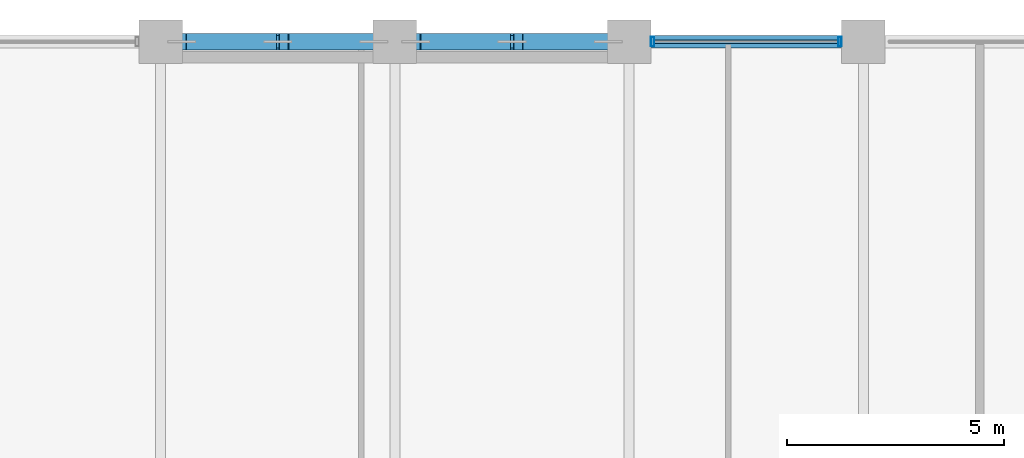
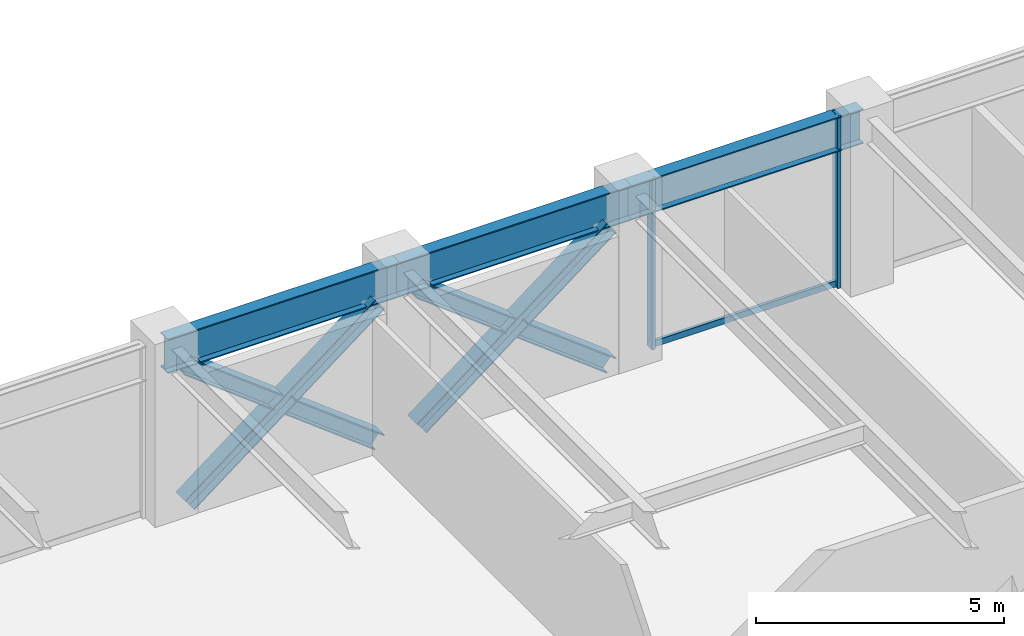
# One storey, part 15 of 25: 9 members, 3 beams, 1 element without a shape of its own.
"""IFC4 building model written with IfcOpenShell, lengths in metres."""

import ifcopenshell
import ifcopenshell.guid

model = None  # the IFC model being written
_history = None  # IfcOwnerHistory: only IFC2X3 demands one
_inside = {}  # id of a spatial element -> (the spatial element, [elements in it])
_under = {}  # id of a project, library or spatial element -> (it, [spatial elements below it])
_declared = {}  # id of a project -> (the project, [libraries it declares])
_typed = {}  # id of a type object -> (the type object, [elements of that type])
_made_of = {}  # id of a material, layer set ... -> (it, [elements and type objects made of it])


def new_model(schema):
    """Start an empty IFC model of exactly this schema.

    Asked for "IFC4X3", IfcOpenShell would pick the latest addendum, in which some entities
    have other attributes; the version numbers below select the first issue.
    IFC2X3 requires an IfcOwnerHistory on every rooted entity: one is made here for all.
    """
    global model, _history
    if schema == "IFC4X3":
        model = ifcopenshell.file(schema_version=(4, 3, 0, 0))
    else:
        model = ifcopenshell.file(schema=schema)
    _inside.clear()
    _under.clear()
    _declared.clear()
    _typed.clear()
    _made_of.clear()
    _history = None
    if model.schema == "IFC2X3":
        org = make("IfcOrganization", Name="unknown")
        user = make(
            "IfcPersonAndOrganization",
            ThePerson=make("IfcPerson", FamilyName="unknown"),
            TheOrganization=org,
        )
        app = make(
            "IfcApplication",
            ApplicationDeveloper=org,
            Version="unknown",
            ApplicationFullName="unknown",
            ApplicationIdentifier="unknown",
        )
        _history = make(
            "IfcOwnerHistory",
            OwningUser=user,
            OwningApplication=app,
            ChangeAction="ADDED",
            CreationDate=0,
        )
    return model


def make(cls, **values):
    """One entity of the class cls with the attributes given. An attribute that is None is left unset."""
    return model.create_entity(
        cls, **{name: value for name, value in values.items() if value is not None}
    )


def rooted(cls, **values):
    """An entity with a GlobalId (a new one), such as an element, a storey or a relation."""
    return make(cls, GlobalId=ifcopenshell.guid.new(), OwnerHistory=_history, **values)


def si_unit(unit_type, name, prefix=None):
    """IfcSIUnit, for example si_unit("LENGTHUNIT", "METRE", prefix="MILLI")."""
    return make("IfcSIUnit", UnitType=unit_type, Prefix=prefix, Name=name)


def assignment(units):
    """IfcUnitAssignment: the units of a project."""
    return None if units is None else make("IfcUnitAssignment", Units=units)


def point(xyz):
    """IfcCartesianPoint."""
    return None if xyz is None else make("IfcCartesianPoint", Coordinates=xyz)


def direction(xyz):
    """IfcDirection."""
    return None if xyz is None else make("IfcDirection", DirectionRatios=xyz)


def frame(location, z_axis=None, x_axis=None):
    """IfcAxis2Placement3D, a coordinate frame: its origin and axes. An axis left out is left unset."""
    return make(
        "IfcAxis2Placement3D",
        Location=point(location),
        Axis=direction(z_axis),
        RefDirection=direction(x_axis),
    )


def frame_2d(location, x_axis=None):
    """IfcAxis2Placement2D, a coordinate frame in the plane: its origin and x axis."""
    return make(
        "IfcAxis2Placement2D", Location=point(location), RefDirection=direction(x_axis)
    )


def origin():
    """The frame at (0, 0, 0) with its axes left unset."""
    return frame((0.0, 0.0, 0.0))


def origin_2d():
    """The frame at (0, 0) in the plane with its x axis left unset."""
    return frame_2d((0.0, 0.0))


def place(relative_to, where):
    """IfcLocalPlacement: puts the frame where relative to a parent placement (None: the world)."""
    return make(
        "IfcLocalPlacement", PlacementRelTo=relative_to, RelativePlacement=where
    )


def context(
    kind, dimensions, precision=None, world=None, true_north=None, identifier=None
):
    """IfcGeometricRepresentationContext, for example the 3D "Model" context."""
    return make(
        "IfcGeometricRepresentationContext",
        ContextIdentifier=identifier,
        ContextType=kind,
        CoordinateSpaceDimension=dimensions,
        Precision=precision,
        WorldCoordinateSystem=world,
        TrueNorth=true_north,
    )


def subcontext(parent, identifier, kind, view, scale=None):
    """IfcGeometricRepresentationSubContext, for example "Body" below "Model"."""
    return make(
        "IfcGeometricRepresentationSubContext",
        ContextIdentifier=identifier,
        ContextType=kind,
        ParentContext=parent,
        TargetScale=scale,
        TargetView=view,
    )


def project(units=None, contexts=None):
    """IfcProject with its units and contexts."""
    return rooted(
        "IfcProject",
        Name="project",
        RepresentationContexts=contexts,
        UnitsInContext=assignment(units),
    )


def spatial(cls, under=None, at=None, **own):
    """A site, building, storey or space (cls), placed at a placement, below another one or the project."""
    s = rooted(cls, ObjectPlacement=at, **own)
    if under is not None:
        _under.setdefault(under.id(), (under, []))[1].append(s)
    return s


def profile(cls, at=None, kind="AREA", **sizes):
    """A parametric profile (cls). Its sizes go by their IFC names, for example OverallWidth=200.0."""
    return make(cls, ProfileType=kind, Position=at, **sizes)


def hollow_rectangle(**sizes):
    """IfcRectangleHollowProfileDef."""
    return profile("IfcRectangleHollowProfileDef", **sizes)


def i_section(**sizes):
    """IfcIShapeProfileDef."""
    return profile("IfcIShapeProfileDef", **sizes)


def extrude(swept, where, along, depth):
    """IfcExtrudedAreaSolid: the profile swept, set in the frame where, extruded along a direction by depth."""
    return make(
        "IfcExtrudedAreaSolid",
        SweptArea=swept,
        Position=where,
        ExtrudedDirection=direction(along),
        Depth=depth,
    )


def shape(context_of_items, identifier, shape_type, items):
    """IfcShapeRepresentation: the items that make up one representation, for example the "Body"."""
    return make(
        "IfcShapeRepresentation",
        ContextOfItems=context_of_items,
        RepresentationIdentifier=identifier,
        RepresentationType=shape_type,
        Items=items,
    )


def material(Name=None, Category=None):
    """IfcMaterial."""
    return make("IfcMaterial", Name=Name, Category=Category)


def layer(
    of_material, thickness, ventilated=None, Name=None, Category=None, Priority=None
):
    """IfcMaterialLayer: one layer of a wall or slab, of a material (None: an air gap)."""
    return make(
        "IfcMaterialLayer",
        Material=of_material,
        LayerThickness=thickness,
        IsVentilated=ventilated,
        Name=Name,
        Category=Category,
        Priority=Priority,
    )


def layer_set(layers, Name=None):
    """IfcMaterialLayerSet."""
    return make("IfcMaterialLayerSet", MaterialLayers=layers, LayerSetName=Name)


def material_profile(
    of_material, cross_section, Name=None, Category=None, Priority=None
):
    """IfcMaterialProfile: a cross section and its material."""
    return make(
        "IfcMaterialProfile",
        Name=Name,
        Material=of_material,
        Profile=cross_section,
        Priority=Priority,
        Category=Category,
    )


def profile_set(profiles, Name=None, composite=None):
    """IfcMaterialProfileSet."""
    return make(
        "IfcMaterialProfileSet",
        Name=Name,
        MaterialProfiles=profiles,
        CompositeProfile=composite,
    )


def made_of(thing, what):
    """Note that an element or type object is made of a material, layer set ...; save() writes the relation."""
    if what is not None:
        _made_of.setdefault(what.id(), (what, []))[1].append(thing)
    return thing


def type_object(cls, material=None, **own):
    """A type object (cls), such as IfcWallType, which elements share."""
    return made_of(rooted(cls, **own), material)


def element(
    cls,
    number,
    at=None,
    inside=None,
    cuts=None,
    type_object=None,
    material=None,
    context=None,
    identifier="Body",
    shape_type=None,
    held_by="IfcProductDefinitionShape",
    body=None,
    shapes=None,
    **own,
):
    """One element of the class cls, such as IfcWall. Its Tag is "e" and its number.

    at: its placement. inside: the storey or other place that contains it. cuts: it is an
    opening in that element (IfcRelVoidsElement). A single representation is given by context,
    identifier, shape_type and body (its items); several are given by shapes. held_by: the class
    of the entity that holds the representations. save() writes the other relations.
    """
    e = rooted(cls, Tag="e%d" % number, ObjectPlacement=at, **own)
    if body is not None:
        shapes = [shape(context, identifier, shape_type, body)]
    if shapes is not None:
        e.Representation = make(held_by, Representations=shapes)
    if inside is not None:
        _inside.setdefault(inside.id(), (inside, []))[1].append(e)
    if cuts is not None:
        rooted(
            "IfcRelVoidsElement", RelatingBuildingElement=cuts, RelatedOpeningElement=e
        )
    if type_object is not None:
        _typed.setdefault(type_object.id(), (type_object, []))[1].append(e)
    return made_of(e, material)


def aggregate(whole, parts):
    """IfcRelAggregates: a whole, such as a stair, and the parts it consists of."""
    return rooted("IfcRelAggregates", RelatingObject=whole, RelatedObjects=parts)


def save(model, path):
    """Write the relations noted so far, then the file.

    IfcRelAggregates (storeys below a building ...), IfcRelContainedInSpatialStructure (elements
    in a storey), IfcRelDefinesByType, IfcRelAssociatesMaterial and IfcRelDeclares: one each for
    every whole, place, type object, material and project.
    """
    for whole, parts in _under.values():
        aggregate(whole, parts)
    for where, things in _inside.values():
        rooted(
            "IfcRelContainedInSpatialStructure",
            RelatedElements=things,
            RelatingStructure=where,
        )
    for kind, things in _typed.values():
        rooted("IfcRelDefinesByType", RelatedObjects=things, RelatingType=kind)
    for what, things in _made_of.values():
        rooted("IfcRelAssociatesMaterial", RelatedObjects=things, RelatingMaterial=what)
    for by, libraries in _declared.values():
        rooted("IfcRelDeclares", RelatingContext=by, RelatedDefinitions=libraries)
    model.write(path)


model = new_model("IFC4")

# Units and contexts
model_context = context("Model", 3, precision=1e-05, world=origin(), true_north=direction((0.0, 1.0)))
body_context = subcontext(model_context, "Body", "Model", "MODEL_VIEW")
ifc_project = project(units=[si_unit("LENGTHUNIT", "METRE"), si_unit("AREAUNIT", "SQUARE_METRE"), si_unit("VOLUMEUNIT", "CUBIC_METRE"), si_unit("PLANEANGLEUNIT", "RADIAN"), si_unit("MASSUNIT", "GRAM", prefix="KILO")], contexts=[model_context])

# Site, building, storey
site_placement = place(None, origin())
site = spatial("IfcSite", under=ifc_project, at=site_placement, CompositionType="ELEMENT")
building_placement = place(site_placement, origin())
building = spatial("IfcBuilding", under=site, at=building_placement, Name="Surkhivell Harbour Commons", CompositionType="ELEMENT")
storey_placement = place(building_placement, frame((0.0, 0.0, 162.0)))
storey = spatial("IfcBuildingStorey", under=building, at=storey_placement, Name="L42", CompositionType="ELEMENT", Elevation=162.0)

# Beams
ifc_material_1 = material(Name="Steel S460", Category="steel")
ifc_material_profile_1 = material_profile(ifc_material_1, i_section(OverallWidth=0.2939453125, OverallDepth=0.85107421875, WebThickness=0.01611328125, FlangeThickness=0.02685546875, at=origin_2d()), Name="UB838x292x226")
ifc_profile_set_1 = profile_set([ifc_material_profile_1], Name="Steel S460")
beam_type = type_object("IfcBeamType", Name="BM-SPN-838", PredefinedType="SPANDREL", material=ifc_profile_set_1)
for number, where, z_axis, x_axis, name in (
    (1, (-5.39990234375, 25.89990234375, 3.824462890625), (1.0, 0.0, 0.0), (0.0, 1.0, 0.0), "L42 Tube Spandrel (-5.4,25.9)"),
    (2, (0.0, 25.89990234375, 3.824462890625), (1.0, 0.0, 0.0), (0.0, 1.0, 0.0), "L42 Tube Spandrel (-0.0,25.9)"),
):
    element("IfcBeam", number, at=place(storey_placement, frame(where, z_axis=z_axis, x_axis=x_axis)), inside=storey, type_object=beam_type, Name=name, PredefinedType="SPANDREL", context=body_context, shape_type="SweptSolid", body=[
        extrude(i_section(OverallWidth=0.2939453125, OverallDepth=0.85107421875, WebThickness=0.01611328125, FlangeThickness=0.02685546875, at=origin_2d()), origin(), (0.0, 0.0, 1.0), 5.39990234375),
    ])
beam_placement = place(storey_placement, frame((5.39990234375, 25.89990234375, 3.824462890625), z_axis=(1.0, 0.0, 0.0), x_axis=(0.0, 1.0, 0.0)))
element("IfcBeam", 3, at=beam_placement, inside=storey, type_object=beam_type, Name="L42 Tube Spandrel (5.4,25.9)", PredefinedType="SPANDREL", context=body_context, shape_type="SweptSolid", body=[
    extrude(i_section(OverallWidth=0.2939453125, OverallDepth=0.85107421875, WebThickness=0.01611328125, FlangeThickness=0.02685546875, at=origin_2d()), origin(), (0.0, 0.0, 1.0), 5.400146484375),
])

# Curtain wall, members
ifc_material_2 = material(Name="Anodised pale-metal aluminium and insulated glazing", Category="aluminium")
ifc_layer = layer(ifc_material_2, 0.205078125)
ifc_layer_set = layer_set([ifc_layer], Name="Anodised pale-metal aluminium and insulated glazing")
curtain_wall_type = type_object("IfcCurtainWallType", Name="CW-SYS-Z2", PredefinedType="NOTDEFINED", material=ifc_layer_set)
curtain_wall_placement = place(storey_placement, origin())
curtain_wall = element("IfcCurtainWall", 4, at=curtain_wall_placement, inside=storey, type_object=curtain_wall_type, Name="L42 Curtain Wall CW-L42-E07S1", PredefinedType="NOTDEFINED")
ifc_material_3 = material(Name="Anodised pale-metal aluminium alloy 6063-T6", Category="aluminium")
ifc_material_profile_2 = material_profile(ifc_material_3, hollow_rectangle(XDim=0.074951171875, YDim=0.219970703125, WallThickness=0.00390625, at=origin_2d()), Name="ALU-MULL-75x220")
ifc_profile_set_2 = profile_set([ifc_material_profile_2], Name="Anodised pale-metal aluminium alloy 6063-T6")
member_type_1 = type_object("IfcMemberType", Name="CWM-220", PredefinedType="MULLION", material=ifc_profile_set_2)
member_1_placement = place(storey_placement, frame((10.260498046875, 25.89990234375, 0.0), z_axis=(0.0, 0.0, 1.0), x_axis=(-1.0, 0.0, 0.0)))
member_1 = element("IfcMember", 5, at=member_1_placement, type_object=member_type_1, Name="CW-Z2 mullion 2", PredefinedType="MULLION", context=body_context, shape_type="SweptSolid", body=[
    extrude(hollow_rectangle(XDim=0.074951171875, YDim=0.219970703125, WallThickness=0.00390625, at=origin_2d()), origin(), (0.0, 0.0, 1.0), 4.25),
])
member_2_placement = place(storey_placement, frame((5.939453125, 25.89990234375, 0.0), z_axis=(0.0, 0.0, 1.0), x_axis=(-1.0, 0.0, 0.0)))
member_2 = element("IfcMember", 6, at=member_2_placement, type_object=member_type_1, Name="CW-Z2 mullion 3", PredefinedType="MULLION", context=body_context, shape_type="SweptSolid", body=[
    extrude(hollow_rectangle(XDim=0.074951171875, YDim=0.219970703125, WallThickness=0.00390625, at=origin_2d()), origin(), (0.0, 0.0, 1.0), 4.25),
])
ifc_material_profile_3 = material_profile(ifc_material_3, hollow_rectangle(XDim=0.074951171875, YDim=0.14990234375, WallThickness=0.00341796875, at=origin_2d()), Name="ALU-TRAN-75x150")
ifc_profile_set_3 = profile_set([ifc_material_profile_3], Name="Anodised pale-metal aluminium alloy 6063-T6")
member_type_2 = type_object("IfcMemberType", Name="CWT-150", PredefinedType="USERDEFINED", material=ifc_profile_set_3)
member_3_placement = place(storey_placement, frame((10.222900390625, 25.89990234375, 0.074951171875), z_axis=(-1.0, 0.0, 0.0), x_axis=(0.0, -1.0, 0.0)))
member_3 = element("IfcMember", 7, at=member_3_placement, type_object=member_type_2, Name="CW-Z2 transom 2.1", ObjectType="TRANSOM", PredefinedType="USERDEFINED", context=body_context, shape_type="SweptSolid", body=[
    extrude(hollow_rectangle(XDim=0.074951171875, YDim=0.14990234375, WallThickness=0.00341796875, at=origin_2d()), origin(), (0.0, 0.0, 1.0), 4.245849609375),
])
aggregate(curtain_wall, [member_1, member_2, member_3])

# Members
ifc_material_profile_4 = material_profile(ifc_material_1, i_section(OverallWidth=0.375, OverallDepth=0.375, WebThickness=0.0166015625, FlangeThickness=0.027099609375, at=origin_2d()), Name="UC356x368x202")
ifc_profile_set_4 = profile_set([ifc_material_profile_4], Name="Steel S460")
member_type_3 = type_object("IfcMemberType", Name="MEM-BRC-UC356", PredefinedType="BRACE", material=ifc_profile_set_4)
member_4_placement = place(storey_placement, frame((-4.9150390625, 25.89990234375, 0.008056640625), z_axis=(0.793715476272, 0.0, 0.608289193334), x_axis=(0.0, 1.0, 0.0)))
element("IfcMember", 8, at=member_4_placement, inside=storey, type_object=member_type_3, Name="L42 Perimeter Mega-Brace MB- 01", PredefinedType="BRACE", context=body_context, shape_type="SweptSolid", body=[
    extrude(i_section(OverallWidth=0.375, OverallDepth=0.375, WebThickness=0.0166015625, FlangeThickness=0.027099609375, at=origin_2d()), origin(), (0.0, 0.0, 1.0), 5.581298828125),
])
for number, where, z_axis, x_axis, name in (
    (9, (-0.485107421875, 25.89990234375, 0.008056640625), (-0.793728271904, 0.0, 0.608272496814), (0.0, -1.0, 0.0), "L42 Perimeter Mega-Brace MB- 02"),
    (10, (-2.843017578125, 25.89990234375, 1.81494140625), (-0.793683119175, 0.0, 0.608331411598), (0.0, -1.0, 0.0), "L42 Perimeter Mega-Brace MB- 03"),
):
    element("IfcMember", number, at=place(storey_placement, frame(where, z_axis=z_axis, x_axis=x_axis)), inside=storey, type_object=member_type_3, Name=name, PredefinedType="BRACE", context=body_context, shape_type="SweptSolid", body=[
        extrude(i_section(OverallWidth=0.375, OverallDepth=0.375, WebThickness=0.0166015625, FlangeThickness=0.027099609375, at=origin_2d()), origin(), (0.0, 0.0, 1.0), 2.610595703125),
    ])
member_5_placement = place(storey_placement, frame((0.485107421875, 25.89990234375, 0.008056640625), z_axis=(0.793715476272, 0.0, 0.608289193334), x_axis=(0.0, 1.0, 0.0)))
element("IfcMember", 11, at=member_5_placement, inside=storey, type_object=member_type_3, Name="L42 Perimeter Mega-Brace MB- 04", PredefinedType="BRACE", context=body_context, shape_type="SweptSolid", body=[
    extrude(i_section(OverallWidth=0.375, OverallDepth=0.375, WebThickness=0.0166015625, FlangeThickness=0.027099609375, at=origin_2d()), origin(), (0.0, 0.0, 1.0), 5.581298828125),
])
for number, where, z_axis, x_axis, name in (
    (12, (4.9150390625, 25.89990234375, 0.008056640625), (-0.793728271904, 0.0, 0.608272496814), (0.0, -1.0, 0.0), "L42 Perimeter Mega-Brace MB- 05"),
    (13, (2.55712890625, 25.89990234375, 1.81494140625), (-0.793683119175, 0.0, 0.608331411598), (0.0, -1.0, 0.0), "L42 Perimeter Mega-Brace MB- 06"),
):
    element("IfcMember", number, at=place(storey_placement, frame(where, z_axis=z_axis, x_axis=x_axis)), inside=storey, type_object=member_type_3, Name=name, PredefinedType="BRACE", context=body_context, shape_type="SweptSolid", body=[
        extrude(i_section(OverallWidth=0.375, OverallDepth=0.375, WebThickness=0.0166015625, FlangeThickness=0.027099609375, at=origin_2d()), origin(), (0.0, 0.0, 1.0), 2.610595703125),
    ])

save(model, "model.ifc")
